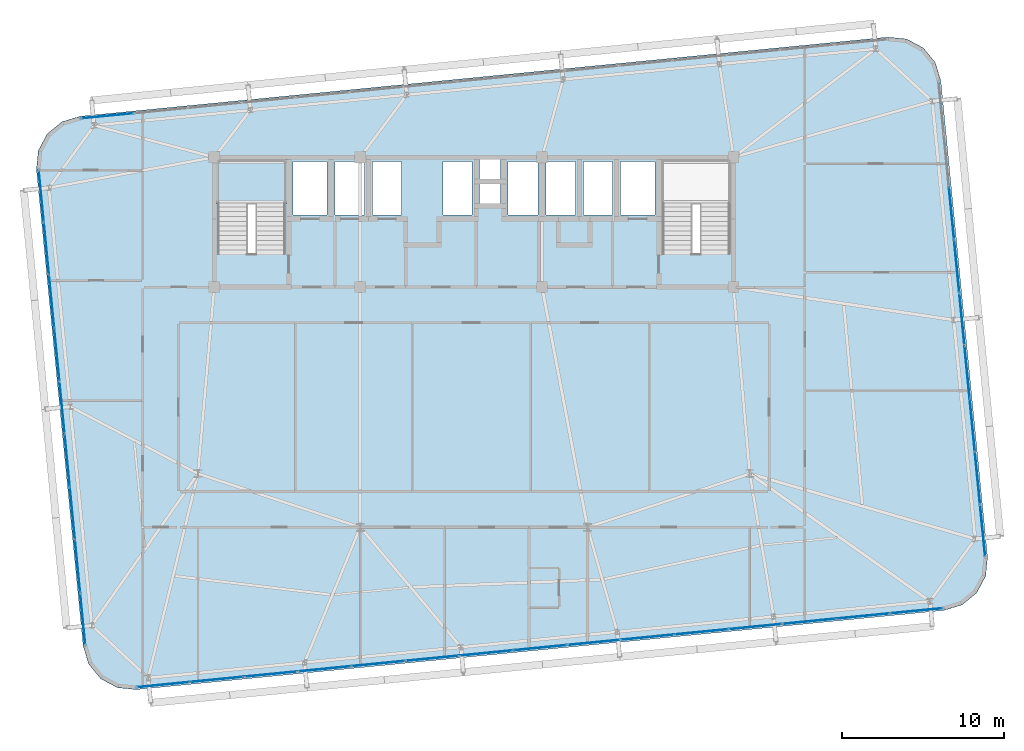
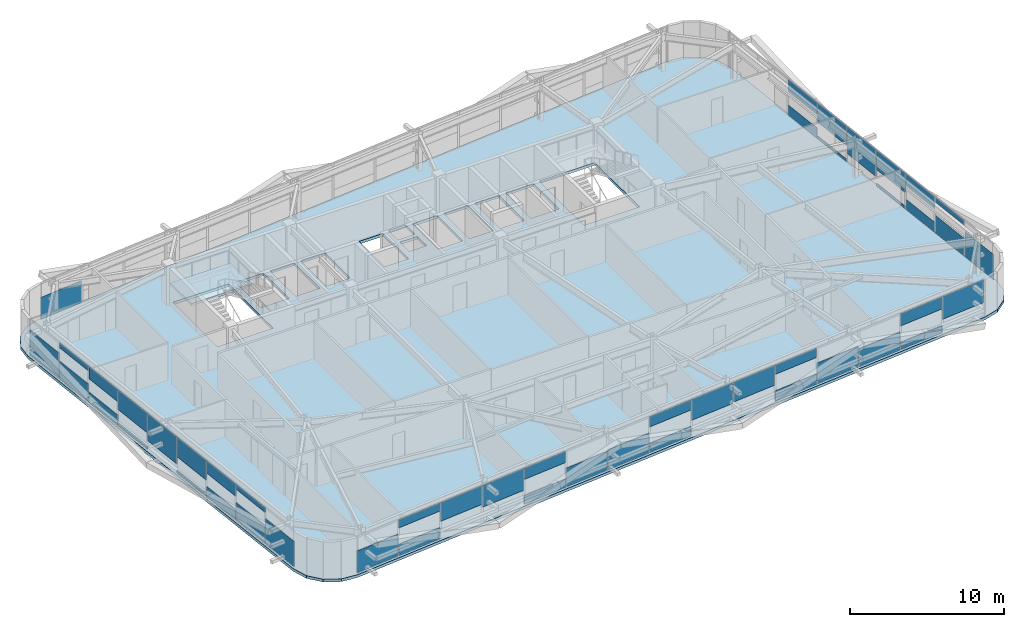
# One storey, part 36 of 52: 48 plates, 2 slabs, 5 elements without a shape of their own.
"""IFC4 building model written with IfcOpenShell, lengths in metres."""

from ifc_helpers import new_model, si_unit, direction, frame, origin, origin_2d, place, context, subcontext, project, spatial, polyline, rectangle, outline, extrude, source, transform, mapped, material, layer, layer_set, type_object, element, aggregate, save


model = new_model("IFC4")

# Units and contexts
model_context = context("Model", 3, precision=1e-05, world=origin(), true_north=direction((0.0, 1.0)))
body_context = subcontext(model_context, "Body", "Model", "MODEL_VIEW")
ifc_project = project(units=[si_unit("LENGTHUNIT", "METRE"), si_unit("AREAUNIT", "SQUARE_METRE"), si_unit("VOLUMEUNIT", "CUBIC_METRE"), si_unit("PLANEANGLEUNIT", "RADIAN"), si_unit("MASSUNIT", "GRAM", prefix="KILO")], contexts=[model_context])

# Site, building, storey
site_placement = place(None, origin())
site = spatial("IfcSite", under=ifc_project, at=site_placement, CompositionType="ELEMENT")
building_placement = place(site_placement, origin())
building = spatial("IfcBuilding", under=site, at=building_placement, Name="Taldren Reach Tower", CompositionType="ELEMENT")
storey_placement = place(building_placement, frame((0.0, 0.0, 96.60009765625)))
storey = spatial("IfcBuildingStorey", under=building, at=storey_placement, Name="L29", CompositionType="ELEMENT", Elevation=96.60009765625)

# Slab
ifc_material_1 = material(Name="Concrete N40 (40 MPa)", Category="concrete")
ifc_layer_1 = layer(ifc_material_1, 0.219970703125)
ifc_layer_set_1 = layer_set([ifc_layer_1], Name="Concrete N40 (40 MPa)")
slab_type_1 = type_object("IfcSlabType", Name="SL-FLR-220", PredefinedType="FLOOR", material=ifc_layer_set_1)
slab_1_placement = place(storey_placement, frame((0.0, 0.0, -0.22021484375)))
element("IfcSlab", 1, at=slab_1_placement, inside=storey, type_object=slab_type_1, Name="Suspended floor slab L29", PredefinedType="FLOOR", context=body_context, shape_type="SweptSolid", body=[
    extrude(outline(polyline([(63.962890625, 4.07421875), (65.0830078125, 4.41357421875), (65.98828125, 5.15576171875), (66.54052734375, 6.187744140625), (66.65576171875, 7.352783203125), (63.777099609375, 36.7119140625), (63.437744140625, 37.832275390625), (62.695556640625, 38.7373046875), (61.663330078125, 39.28955078125), (60.49853515625, 39.40478515625), (10.7373046875, 34.525634765625), (9.616943359375, 34.1865234375), (8.711669921875, 33.4443359375), (8.159423828125, 32.412109375), (8.044189453125, 31.247314453125), (10.923095703125, 1.88818359375), (11.26220703125, 0.767822265625), (12.00439453125, -0.137451171875), (13.03662109375, -0.689697265625), (14.201416015625, -0.804931640625), (63.962890625, 4.07421875)]), holes=[polyline([(19.219970703125, 26.050048828125), (23.3798828125, 26.050048828125), (23.3798828125, 31.820068359375), (19.219970703125, 31.820068359375), (19.219970703125, 26.050048828125)]), polyline([(46.6201171875, 26.050048828125), (50.780029296875, 26.050048828125), (50.780029296875, 31.820068359375), (46.6201171875, 31.820068359375), (46.6201171875, 26.050048828125)]), polyline([(23.85009765625, 28.449951171875), (25.949951171875, 28.449951171875), (25.949951171875, 31.75), (23.85009765625, 31.75), (23.85009765625, 28.449951171875)]), polyline([(44.050048828125, 28.449951171875), (46.14990234375, 28.449951171875), (46.14990234375, 31.75), (44.050048828125, 31.75), (44.050048828125, 28.449951171875)]), polyline([(26.449951171875, 28.449951171875), (28.25, 28.449951171875), (28.25, 31.75), (26.449951171875, 31.75), (26.449951171875, 28.449951171875)]), polyline([(28.75, 28.449951171875), (30.550048828125, 28.449951171875), (30.550048828125, 31.75), (28.75, 31.75), (28.75, 28.449951171875)]), polyline([(33.10009765625, 28.449951171875), (34.89990234375, 28.449951171875), (34.89990234375, 31.75), (33.10009765625, 31.75), (33.10009765625, 28.449951171875)]), polyline([(37.10009765625, 28.449951171875), (38.949951171875, 28.449951171875), (38.949951171875, 31.75), (37.10009765625, 31.75), (37.10009765625, 28.449951171875)]), polyline([(39.449951171875, 28.449951171875), (41.25, 28.449951171875), (41.25, 31.75), (39.449951171875, 31.75), (39.449951171875, 28.449951171875)]), polyline([(41.75, 28.449951171875), (43.550048828125, 28.449951171875), (43.550048828125, 31.75), (41.75, 31.75), (41.75, 28.449951171875)]), polyline([(35.35009765625, 30.64990234375), (36.64990234375, 30.64990234375), (36.64990234375, 31.85009765625), (35.35009765625, 31.85009765625), (35.35009765625, 30.64990234375)]), polyline([(35.35009765625, 29.14990234375), (36.64990234375, 29.14990234375), (36.64990234375, 30.35009765625), (35.35009765625, 30.35009765625), (35.35009765625, 29.14990234375)])]), origin(), (0.0, 0.0, 1.0), 0.22021484375),
])

# Stair, slab
ifc_material_2 = material(Name="Concrete S50 (50 MPa)", Category="concrete")
stair_type = type_object("IfcStairType", Name="ST-HT-315", PredefinedType="HALF_TURN_STAIR", material=ifc_material_2)
stair_placement = place(storey_placement, origin())
stair = element("IfcStair", 2, at=stair_placement, inside=storey, type_object=stair_type, Name="Fire-isolated exit stair ST1 L29", PredefinedType="HALF_TURN_STAIR")
ifc_layer_2 = layer(ifc_material_2, 0.179931640625)
ifc_layer_set_2 = layer_set([ifc_layer_2], Name="Concrete S50 (50 MPa)")
slab_type_2 = type_object("IfcSlabType", Name="SL-LAND-180", PredefinedType="LANDING", material=ifc_layer_set_2)
slab_2_placement = place(storey_placement, frame((0.0, 0.0, 1.39501953125)))
slab_2 = element("IfcSlab", 3, at=slab_2_placement, type_object=slab_type_2, Name="ST1 landing 1", PredefinedType="LANDING", context=body_context, shape_type="SweptSolid", body=[
    extrude(outline(polyline([(19.0400390625, 29.135009765625), (23.56005859375, 29.135009765625), (23.56005859375, 31.8701171875), (19.0400390625, 31.8701171875), (19.0400390625, 29.135009765625)])), origin(), (0.0, 0.0, 1.0), 0.179931640625),
])
aggregate(stair, [slab_2])

# Curtain wall, plate
ifc_material_3 = material(Name="Aluminium and Low-E Glass Unitised System", Category="aluminium")
ifc_layer_3 = layer(ifc_material_3, 0.159912109375)
ifc_layer_set_3 = layer_set([ifc_layer_3], Name="Aluminium and Low-E Glass Unitised System")
curtain_wall_type = type_object("IfcCurtainWallType", Name="CW-SYS-3", PredefinedType="NOTDEFINED", material=ifc_layer_set_3)
curtain_wall_1_placement = place(storey_placement, origin())
curtain_wall_1 = element("IfcCurtainWall", 4, at=curtain_wall_1_placement, inside=storey, type_object=curtain_wall_type, Name="Unitised curtain wall CW-L29-S", PredefinedType="NOTDEFINED")
ifc_material_4 = material(Name="Solar-Control Double Glazed IGU", Category="glass")
ifc_layer_4 = layer(ifc_material_4, 0.031982421875)
ifc_layer_set_4 = layer_set([ifc_layer_4], Name="Solar-Control Double Glazed IGU")
plate_type = type_object("IfcPlateType", Name="CW-PNL-IGU32", PredefinedType="CURTAIN_PANEL", material=ifc_layer_set_4)
shared_shape_1 = source(origin(), body_context, "Body", "SweptSolid", [
    extrude(rectangle(XDim=3.23583984375, YDim=0.031982421875, at=origin_2d()), origin(), (0.0, 0.0, 1.0), 1.72509765625),
])
plate_1_placement = place(storey_placement, frame((15.862548828125, -0.501220703125, 0.054931640625), z_axis=(0.0, 0.0, 1.0), x_axis=(0.995227390247, 0.097582999046, 0.0)))
plate_1 = element("IfcPlate", 5, at=plate_1_placement, type_object=plate_type, Name="CW-3 panel 1.1 part 1", PredefinedType="CURTAIN_PANEL", context=body_context, shape_type="MappedRepresentation", body=[
    mapped(shared_shape_1, transform((0.0, 0.0, 0.0), scale=1.0)),
])

curtain_wall_2_placement = place(storey_placement, origin())
curtain_wall_2 = element("IfcCurtainWall", 6, at=curtain_wall_2_placement, inside=storey, type_object=curtain_wall_type, Name="Unitised curtain wall CW-L29-N", PredefinedType="NOTDEFINED")
plate_2_placement = place(storey_placement, frame((12.42578125, 34.550537109375, 0.054931640625), z_axis=(0.0, 0.0, 1.0), x_axis=(-0.995227390247, -0.097582999046, 0.0)))
plate_2 = element("IfcPlate", 7, at=plate_2_placement, type_object=plate_type, Name="CW-3 panel 15.1 part 1", PredefinedType="CURTAIN_PANEL", context=body_context, shape_type="MappedRepresentation", body=[
    mapped(shared_shape_1, transform((0.0, 0.0, 0.0), scale=1.0)),
])
aggregate(curtain_wall_2, [plate_2])

# Plate
shared_shape_2 = source(origin(), body_context, "Body", "SweptSolid", [
    extrude(rectangle(XDim=3.268310546875, YDim=0.031982421875, at=origin_2d()), origin(), (0.0, 0.0, 1.0), 0.88818359375),
])
plate_3_placement = place(storey_placement, frame((19.163818359375, -0.177734375, 0.054931640625), z_axis=(0.0, 0.0, 1.0), x_axis=(0.995227390247, 0.097582999046, 0.0)))
plate_3 = element("IfcPlate", 8, at=plate_3_placement, type_object=plate_type, Name="CW-3 panel 2.1 part 1", PredefinedType="CURTAIN_PANEL", context=body_context, shape_type="MappedRepresentation", body=[
    mapped(shared_shape_2, transform((0.0, 0.0, 0.0), scale=1.0)),
])

shared_shape_3 = source(origin(), body_context, "Body", "SweptSolid", [
    extrude(rectangle(XDim=3.268310546875, YDim=0.031982421875, at=origin_2d()), origin(), (0.0, 0.0, 1.0), 0.626953125),
])
plate_4_placement = place(storey_placement, frame((19.163818359375, -0.177734375, 2.248046875), z_axis=(0.0, 0.0, 1.0), x_axis=(0.995227390247, 0.097582999046, 0.0)))
plate_4 = element("IfcPlate", 9, at=plate_4_placement, type_object=plate_type, Name="CW-3 panel 2.1 part 2", PredefinedType="CURTAIN_PANEL", context=body_context, shape_type="MappedRepresentation", body=[
    mapped(shared_shape_3, transform((0.0, 0.0, 0.0), scale=1.0)),
])

shared_shape_4 = source(origin(), body_context, "Body", "SweptSolid", [
    extrude(rectangle(XDim=3.268310546875, YDim=0.031982421875, at=origin_2d()), origin(), (0.0, 0.0, 1.0), 1.4638671875),
])
plate_5_placement = place(storey_placement, frame((22.481201171875, 0.147705078125, 1.4111328125), z_axis=(0.0, 0.0, 1.0), x_axis=(0.995227390247, 0.097582999046, 0.0)))
plate_5 = element("IfcPlate", 10, at=plate_5_placement, type_object=plate_type, Name="CW-3 panel 3.1 part 1", PredefinedType="CURTAIN_PANEL", context=body_context, shape_type="MappedRepresentation", body=[
    mapped(shared_shape_4, transform((0.0, 0.0, 0.0), scale=1.0)),
])

shared_shape_5 = source(origin(), body_context, "Body", "SweptSolid", [
    extrude(rectangle(XDim=3.268310546875, YDim=0.031982421875, at=origin_2d()), origin(), (0.0, 0.0, 1.0), 1.704833984375),
])
plate_6_placement = place(storey_placement, frame((25.798828125, 0.472900390625, 1.169921875), z_axis=(0.0, 0.0, 1.0), x_axis=(0.995227390247, 0.097582999046, 0.0)))
plate_6 = element("IfcPlate", 11, at=plate_6_placement, type_object=plate_type, Name="CW-3 panel 4.1 part 1", PredefinedType="CURTAIN_PANEL", context=body_context, shape_type="MappedRepresentation", body=[
    mapped(shared_shape_5, transform((0.0, 0.0, 0.0), scale=1.0)),
])

shared_shape_6 = source(origin(), body_context, "Body", "SweptSolid", [
    extrude(rectangle(XDim=3.268310546875, YDim=0.031982421875, at=origin_2d()), origin(), (0.0, 0.0, 1.0), 0.647216796875),
])
plate_7_placement = place(storey_placement, frame((29.1162109375, 0.798095703125, 0.05517578125), z_axis=(0.0, 0.0, 1.0), x_axis=(0.995227390247, 0.097582999046, 0.0)))
plate_7 = element("IfcPlate", 12, at=plate_7_placement, type_object=plate_type, Name="CW-3 panel 5.1 part 1", PredefinedType="CURTAIN_PANEL", context=body_context, shape_type="MappedRepresentation", body=[
    mapped(shared_shape_6, transform((0.0, 0.0, 0.0), scale=1.0)),
])

shared_shape_7 = source(origin(), body_context, "Body", "SweptSolid", [
    extrude(rectangle(XDim=3.268310546875, YDim=0.031982421875, at=origin_2d()), origin(), (0.0, 0.0, 1.0), 0.867919921875),
])
plate_8_placement = place(storey_placement, frame((29.1162109375, 0.798095703125, 2.0068359375), z_axis=(0.0, 0.0, 1.0), x_axis=(0.995227390247, 0.097582999046, 0.0)))
plate_8 = element("IfcPlate", 13, at=plate_8_placement, type_object=plate_type, Name="CW-3 panel 5.1 part 2", PredefinedType="CURTAIN_PANEL", context=body_context, shape_type="MappedRepresentation", body=[
    mapped(shared_shape_7, transform((0.0, 0.0, 0.0), scale=1.0)),
])

shared_shape_8 = source(origin(), body_context, "Body", "SweptSolid", [
    extrude(rectangle(XDim=3.268310546875, YDim=0.031982421875, at=origin_2d()), origin(), (0.0, 0.0, 1.0), 1.484130859375),
])
plate_9_placement = place(storey_placement, frame((32.43359375, 1.12353515625, 0.0546875), z_axis=(0.0, 0.0, 1.0), x_axis=(0.995227390247, 0.097582999046, 0.0)))
plate_9 = element("IfcPlate", 14, at=plate_9_placement, type_object=plate_type, Name="CW-3 panel 6.1 part 1", PredefinedType="CURTAIN_PANEL", context=body_context, shape_type="MappedRepresentation", body=[
    mapped(shared_shape_8, transform((0.0, 0.0, 0.0), scale=1.0)),
])

shared_shape_9 = source(origin(), body_context, "Body", "SweptSolid", [
    extrude(rectangle(XDim=3.268310546875, YDim=0.031982421875, at=origin_2d()), origin(), (0.0, 0.0, 1.0), 1.564453125),
])
plate_10_placement = place(storey_placement, frame((35.7509765625, 1.44873046875, 0.054931640625), z_axis=(0.0, 0.0, 1.0), x_axis=(0.995227390247, 0.097582999046, 0.0)))
plate_10 = element("IfcPlate", 15, at=plate_10_placement, type_object=plate_type, Name="CW-3 panel 7.1 part 1", PredefinedType="CURTAIN_PANEL", context=body_context, shape_type="MappedRepresentation", body=[
    mapped(shared_shape_9, transform((0.0, 0.0, 0.0), scale=1.0)),
])

shared_shape_10 = source(origin(), body_context, "Body", "SweptSolid", [
    extrude(rectangle(XDim=3.268310546875, YDim=0.031982421875, at=origin_2d()), origin(), (0.0, 0.0, 1.0), 0.7275390625),
])
plate_11_placement = place(storey_placement, frame((39.068359375, 1.77392578125, 0.054931640625), z_axis=(0.0, 0.0, 1.0), x_axis=(0.995227390247, 0.097582999046, 0.0)))
plate_11 = element("IfcPlate", 16, at=plate_11_placement, type_object=plate_type, Name="CW-3 panel 8.1 part 1", PredefinedType="CURTAIN_PANEL", context=body_context, shape_type="MappedRepresentation", body=[
    mapped(shared_shape_10, transform((0.0, 0.0, 0.0), scale=1.0)),
])

shared_shape_11 = source(origin(), body_context, "Body", "SweptSolid", [
    extrude(rectangle(XDim=3.268310546875, YDim=0.031982421875, at=origin_2d()), origin(), (0.0, 0.0, 1.0), 0.78759765625),
])
plate_12_placement = place(storey_placement, frame((39.068359375, 1.77392578125, 2.08740234375), z_axis=(0.0, 0.0, 1.0), x_axis=(0.995227390247, 0.097582999046, 0.0)))
plate_12 = element("IfcPlate", 17, at=plate_12_placement, type_object=plate_type, Name="CW-3 panel 8.1 part 2", PredefinedType="CURTAIN_PANEL", context=body_context, shape_type="MappedRepresentation", body=[
    mapped(shared_shape_11, transform((0.0, 0.0, 0.0), scale=1.0)),
])

shared_shape_12 = source(origin(), body_context, "Body", "SweptSolid", [
    extrude(rectangle(XDim=3.268310546875, YDim=0.031982421875, at=origin_2d()), origin(), (0.0, 0.0, 1.0), 1.62451171875),
])
plate_13_placement = place(storey_placement, frame((42.3857421875, 2.099365234375, 1.25048828125), z_axis=(0.0, 0.0, 1.0), x_axis=(0.995227390247, 0.097582999046, 0.0)))
plate_13 = element("IfcPlate", 18, at=plate_13_placement, type_object=plate_type, Name="CW-3 panel 9.1 part 1", PredefinedType="CURTAIN_PANEL", context=body_context, shape_type="MappedRepresentation", body=[
    mapped(shared_shape_12, transform((0.0, 0.0, 0.0), scale=1.0)),
])

shared_shape_13 = source(origin(), body_context, "Body", "SweptSolid", [
    extrude(rectangle(XDim=3.268310546875, YDim=0.031982421875, at=origin_2d()), origin(), (0.0, 0.0, 1.0), 1.544189453125),
])
plate_14_placement = place(storey_placement, frame((45.703369140625, 2.424560546875, 1.33056640625), z_axis=(0.0, 0.0, 1.0), x_axis=(0.995227390247, 0.097582999046, 0.0)))
plate_14 = element("IfcPlate", 19, at=plate_14_placement, type_object=plate_type, Name="CW-3 panel 10.1 part 1", PredefinedType="CURTAIN_PANEL", context=body_context, shape_type="MappedRepresentation", body=[
    mapped(shared_shape_13, transform((0.0, 0.0, 0.0), scale=1.0)),
])

shared_shape_14 = source(origin(), body_context, "Body", "SweptSolid", [
    extrude(rectangle(XDim=3.268310546875, YDim=0.031982421875, at=origin_2d()), origin(), (0.0, 0.0, 1.0), 0.807861328125),
])
plate_15_placement = place(storey_placement, frame((49.020751953125, 2.749755859375, 0.05517578125), z_axis=(0.0, 0.0, 1.0), x_axis=(0.995227390247, 0.097582999046, 0.0)))
plate_15 = element("IfcPlate", 20, at=plate_15_placement, type_object=plate_type, Name="CW-3 panel 11.1 part 1", PredefinedType="CURTAIN_PANEL", context=body_context, shape_type="MappedRepresentation", body=[
    mapped(shared_shape_14, transform((0.0, 0.0, 0.0), scale=1.0)),
])

shared_shape_15 = source(origin(), body_context, "Body", "SweptSolid", [
    extrude(rectangle(XDim=3.268310546875, YDim=0.031982421875, at=origin_2d()), origin(), (0.0, 0.0, 1.0), 0.707275390625),
])
plate_16_placement = place(storey_placement, frame((49.020751953125, 2.749755859375, 2.16748046875), z_axis=(0.0, 0.0, 1.0), x_axis=(0.995227390247, 0.097582999046, 0.0)))
plate_16 = element("IfcPlate", 21, at=plate_16_placement, type_object=plate_type, Name="CW-3 panel 11.1 part 2", PredefinedType="CURTAIN_PANEL", context=body_context, shape_type="MappedRepresentation", body=[
    mapped(shared_shape_15, transform((0.0, 0.0, 0.0), scale=1.0)),
])

shared_shape_16 = source(origin(), body_context, "Body", "SweptSolid", [
    extrude(rectangle(XDim=3.268310546875, YDim=0.031982421875, at=origin_2d()), origin(), (0.0, 0.0, 1.0), 1.644775390625),
])
plate_17_placement = place(storey_placement, frame((52.338134765625, 3.0751953125, 0.0546875), z_axis=(0.0, 0.0, 1.0), x_axis=(0.995227390247, 0.097582999046, 0.0)))
plate_17 = element("IfcPlate", 22, at=plate_17_placement, type_object=plate_type, Name="CW-3 panel 12.1 part 1", PredefinedType="CURTAIN_PANEL", context=body_context, shape_type="MappedRepresentation", body=[
    mapped(shared_shape_16, transform((0.0, 0.0, 0.0), scale=1.0)),
])

shared_shape_17 = source(origin(), body_context, "Body", "SweptSolid", [
    extrude(rectangle(XDim=3.268310546875, YDim=0.031982421875, at=origin_2d()), origin(), (0.0, 0.0, 1.0), 1.40380859375),
])
plate_18_placement = place(storey_placement, frame((55.655517578125, 3.400390625, 0.054931640625), z_axis=(0.0, 0.0, 1.0), x_axis=(0.995227390247, 0.097582999046, 0.0)))
plate_18 = element("IfcPlate", 23, at=plate_18_placement, type_object=plate_type, Name="CW-3 panel 13.1 part 1", PredefinedType="CURTAIN_PANEL", context=body_context, shape_type="MappedRepresentation", body=[
    mapped(shared_shape_17, transform((0.0, 0.0, 0.0), scale=1.0)),
])

shared_shape_18 = source(origin(), body_context, "Body", "SweptSolid", [
    extrude(rectangle(XDim=3.268310546875, YDim=0.031982421875, at=origin_2d()), origin(), (0.0, 0.0, 1.0), 0.56689453125),
])
plate_19_placement = place(storey_placement, frame((58.972900390625, 3.7255859375, 0.054931640625), z_axis=(0.0, 0.0, 1.0), x_axis=(0.995227390247, 0.097582999046, 0.0)))
plate_19 = element("IfcPlate", 24, at=plate_19_placement, type_object=plate_type, Name="CW-3 panel 14.1 part 1", PredefinedType="CURTAIN_PANEL", context=body_context, shape_type="MappedRepresentation", body=[
    mapped(shared_shape_18, transform((0.0, 0.0, 0.0), scale=1.0)),
])

shared_shape_19 = source(origin(), body_context, "Body", "SweptSolid", [
    extrude(rectangle(XDim=3.268310546875, YDim=0.031982421875, at=origin_2d()), origin(), (0.0, 0.0, 1.0), 0.9482421875),
])
plate_20_placement = place(storey_placement, frame((58.972900390625, 3.7255859375, 1.926513671875), z_axis=(0.0, 0.0, 1.0), x_axis=(0.995227390247, 0.097582999046, 0.0)))
plate_20 = element("IfcPlate", 25, at=plate_20_placement, type_object=plate_type, Name="CW-3 panel 14.1 part 2", PredefinedType="CURTAIN_PANEL", context=body_context, shape_type="MappedRepresentation", body=[
    mapped(shared_shape_19, transform((0.0, 0.0, 0.0), scale=1.0)),
])

shared_shape_20 = source(origin(), body_context, "Body", "SweptSolid", [
    extrude(rectangle(XDim=3.23583984375, YDim=0.031982421875, at=origin_2d()), origin(), (0.0, 0.0, 1.0), 1.78515625),
])
plate_21_placement = place(storey_placement, frame((62.274169921875, 4.04931640625, 1.08984375), z_axis=(0.0, 0.0, 1.0), x_axis=(0.995227390247, 0.097582999046, 0.0)))
plate_21 = element("IfcPlate", 26, at=plate_21_placement, type_object=plate_type, Name="CW-3 panel 15.1 part 1", PredefinedType="CURTAIN_PANEL", context=body_context, shape_type="MappedRepresentation", body=[
    mapped(shared_shape_20, transform((0.0, 0.0, 0.0), scale=1.0)),
])

aggregate(curtain_wall_1, [plate_1, plate_3, plate_4, plate_5, plate_6, plate_7, plate_8, plate_9, plate_10, plate_11, plate_12, plate_13, plate_14, plate_15, plate_16, plate_17, plate_18, plate_19, plate_20, plate_21])

# Curtain wall, plates
curtain_wall_3_placement = place(storey_placement, origin())
curtain_wall_3 = element("IfcCurtainWall", 27, at=curtain_wall_3_placement, inside=storey, type_object=curtain_wall_type, Name="Unitised curtain wall CW-L29-W", PredefinedType="NOTDEFINED")
shared_shape_21 = source(origin(), body_context, "Body", "SweptSolid", [
    extrude(rectangle(XDim=3.18017578125, YDim=0.031982421875, at=origin_2d()), origin(), (0.0, 0.0, 1.0), 1.989501953125),
])
plate_22_placement = place(storey_placement, frame((8.34521484375, 29.61376953125, 0.0546875), z_axis=(0.0, 0.0, 1.0), x_axis=(0.09758274098, -0.99522741555, 0.0)))
plate_22 = element("IfcPlate", 28, at=plate_22_placement, type_object=plate_type, Name="CW-3 panel 1.1 part 1", PredefinedType="CURTAIN_PANEL", context=body_context, shape_type="MappedRepresentation", body=[
    mapped(shared_shape_21, transform((0.0, 0.0, 0.0), scale=1.0)),
])
plate_23_placement = place(storey_placement, frame((10.90087890625, 3.549072265625, 0.0546875), z_axis=(0.0, 0.0, 1.0), x_axis=(0.09758274098, -0.99522741555, 0.0)))
plate_23 = element("IfcPlate", 29, at=plate_23_placement, type_object=plate_type, Name="CW-3 panel 9.1 part 1", PredefinedType="CURTAIN_PANEL", context=body_context, shape_type="MappedRepresentation", body=[
    mapped(shared_shape_21, transform((0.0, 0.0, 0.0), scale=1.0)),
])

# Curtain wall, plate
curtain_wall_4_placement = place(storey_placement, origin())
curtain_wall_4 = element("IfcCurtainWall", 30, at=curtain_wall_4_placement, inside=storey, type_object=curtain_wall_type, Name="Unitised curtain wall CW-L29-E", PredefinedType="NOTDEFINED")
plate_24_placement = place(storey_placement, frame((66.35498046875, 8.986328125, 0.0546875), z_axis=(0.0, 0.0, 1.0), x_axis=(-0.09758274098, 0.99522741555, 0.0)))
plate_24 = element("IfcPlate", 31, at=plate_24_placement, type_object=plate_type, Name="CW-3 panel 1.1 part 1", PredefinedType="CURTAIN_PANEL", context=body_context, shape_type="MappedRepresentation", body=[
    mapped(shared_shape_21, transform((0.0, 0.0, 0.0), scale=1.0)),
])

# Plate
shared_shape_22 = source(origin(), body_context, "Body", "SweptSolid", [
    extrude(rectangle(XDim=3.212890625, YDim=0.031982421875, at=origin_2d()), origin(), (0.0, 0.0, 1.0), 1.401611328125),
])
plate_25_placement = place(storey_placement, frame((8.663330078125, 26.36767578125, 0.05517578125), z_axis=(0.0, 0.0, 1.0), x_axis=(0.09758274098, -0.99522741555, 0.0)))
plate_25 = element("IfcPlate", 32, at=plate_25_placement, type_object=plate_type, Name="CW-3 panel 2.1 part 1", PredefinedType="CURTAIN_PANEL", context=body_context, shape_type="MappedRepresentation", body=[
    mapped(shared_shape_22, transform((0.0, 0.0, 0.0), scale=1.0)),
])

plate_26_placement = place(storey_placement, frame((10.58251953125, 6.794921875, 0.05517578125), z_axis=(0.0, 0.0, 1.0), x_axis=(0.09758274098, -0.99522741555, 0.0)))
plate_26 = element("IfcPlate", 33, at=plate_26_placement, type_object=plate_type, Name="CW-3 panel 8.1 part 1", PredefinedType="CURTAIN_PANEL", context=body_context, shape_type="MappedRepresentation", body=[
    mapped(shared_shape_22, transform((0.0, 0.0, 0.0), scale=1.0)),
])

plate_27_placement = place(storey_placement, frame((66.03662109375, 12.232177734375, 0.05517578125), z_axis=(0.0, 0.0, 1.0), x_axis=(-0.09758274098, 0.99522741555, 0.0)))
plate_27 = element("IfcPlate", 34, at=plate_27_placement, type_object=plate_type, Name="CW-3 panel 2.1 part 1", PredefinedType="CURTAIN_PANEL", context=body_context, shape_type="MappedRepresentation", body=[
    mapped(shared_shape_22, transform((0.0, 0.0, 0.0), scale=1.0)),
])

shared_shape_23 = source(origin(), body_context, "Body", "SweptSolid", [
    extrude(rectangle(XDim=3.212890625, YDim=0.031982421875, at=origin_2d()), origin(), (0.0, 0.0, 1.0), 0.36474609375),
])
plate_28_placement = place(storey_placement, frame((8.663330078125, 26.36767578125, 2.51025390625), z_axis=(0.0, 0.0, 1.0), x_axis=(0.09758274098, -0.99522741555, 0.0)))
plate_28 = element("IfcPlate", 35, at=plate_28_placement, type_object=plate_type, Name="CW-3 panel 2.1 part 2", PredefinedType="CURTAIN_PANEL", context=body_context, shape_type="MappedRepresentation", body=[
    mapped(shared_shape_23, transform((0.0, 0.0, 0.0), scale=1.0)),
])

plate_29_placement = place(storey_placement, frame((10.58251953125, 6.794921875, 2.51025390625), z_axis=(0.0, 0.0, 1.0), x_axis=(0.09758274098, -0.99522741555, 0.0)))
plate_29 = element("IfcPlate", 36, at=plate_29_placement, type_object=plate_type, Name="CW-3 panel 8.1 part 2", PredefinedType="CURTAIN_PANEL", context=body_context, shape_type="MappedRepresentation", body=[
    mapped(shared_shape_23, transform((0.0, 0.0, 0.0), scale=1.0)),
])

plate_30_placement = place(storey_placement, frame((66.03662109375, 12.232177734375, 2.51025390625), z_axis=(0.0, 0.0, 1.0), x_axis=(-0.09758274098, 0.99522741555, 0.0)))
plate_30 = element("IfcPlate", 37, at=plate_30_placement, type_object=plate_type, Name="CW-3 panel 2.1 part 2", PredefinedType="CURTAIN_PANEL", context=body_context, shape_type="MappedRepresentation", body=[
    mapped(shared_shape_23, transform((0.0, 0.0, 0.0), scale=1.0)),
])

shared_shape_24 = source(origin(), body_context, "Body", "SweptSolid", [
    extrude(rectangle(XDim=3.212890625, YDim=0.031982421875, at=origin_2d()), origin(), (0.0, 0.0, 1.0), 0.81396484375),
])
plate_31_placement = place(storey_placement, frame((8.983154296875, 23.105712890625, 0.054931640625), z_axis=(0.0, 0.0, 1.0), x_axis=(0.09758274098, -0.99522741555, 0.0)))
plate_31 = element("IfcPlate", 38, at=plate_31_placement, type_object=plate_type, Name="CW-3 panel 3.1 part 1", PredefinedType="CURTAIN_PANEL", context=body_context, shape_type="MappedRepresentation", body=[
    mapped(shared_shape_24, transform((0.0, 0.0, 0.0), scale=1.0)),
])

plate_32_placement = place(storey_placement, frame((10.2626953125, 10.05712890625, 0.054931640625), z_axis=(0.0, 0.0, 1.0), x_axis=(0.09758274098, -0.99522741555, 0.0)))
plate_32 = element("IfcPlate", 39, at=plate_32_placement, type_object=plate_type, Name="CW-3 panel 7.1 part 1", PredefinedType="CURTAIN_PANEL", context=body_context, shape_type="MappedRepresentation", body=[
    mapped(shared_shape_24, transform((0.0, 0.0, 0.0), scale=1.0)),
])

plate_33_placement = place(storey_placement, frame((65.716796875, 15.494384765625, 0.054931640625), z_axis=(0.0, 0.0, 1.0), x_axis=(-0.09758274098, 0.99522741555, 0.0)))
plate_33 = element("IfcPlate", 40, at=plate_33_placement, type_object=plate_type, Name="CW-3 panel 3.1 part 1", PredefinedType="CURTAIN_PANEL", context=body_context, shape_type="MappedRepresentation", body=[
    mapped(shared_shape_24, transform((0.0, 0.0, 0.0), scale=1.0)),
])

plate_34_placement = place(storey_placement, frame((64.437255859375, 28.54296875, 0.054931640625), z_axis=(0.0, 0.0, 1.0), x_axis=(-0.09758274098, 0.99522741555, 0.0)))
plate_34 = element("IfcPlate", 41, at=plate_34_placement, type_object=plate_type, Name="CW-3 panel 7.1 part 1", PredefinedType="CURTAIN_PANEL", context=body_context, shape_type="MappedRepresentation", body=[
    mapped(shared_shape_24, transform((0.0, 0.0, 0.0), scale=1.0)),
])

shared_shape_25 = source(origin(), body_context, "Body", "SweptSolid", [
    extrude(rectangle(XDim=3.212890625, YDim=0.031982421875, at=origin_2d()), origin(), (0.0, 0.0, 1.0), 0.95263671875),
])
plate_35_placement = place(storey_placement, frame((8.983154296875, 23.105712890625, 1.92236328125), z_axis=(0.0, 0.0, 1.0), x_axis=(0.09758274098, -0.99522741555, 0.0)))
plate_35 = element("IfcPlate", 42, at=plate_35_placement, type_object=plate_type, Name="CW-3 panel 3.1 part 2", PredefinedType="CURTAIN_PANEL", context=body_context, shape_type="MappedRepresentation", body=[
    mapped(shared_shape_25, transform((0.0, 0.0, 0.0), scale=1.0)),
])

plate_36_placement = place(storey_placement, frame((10.2626953125, 10.05712890625, 1.92236328125), z_axis=(0.0, 0.0, 1.0), x_axis=(0.09758274098, -0.99522741555, 0.0)))
plate_36 = element("IfcPlate", 43, at=plate_36_placement, type_object=plate_type, Name="CW-3 panel 7.1 part 2", PredefinedType="CURTAIN_PANEL", context=body_context, shape_type="MappedRepresentation", body=[
    mapped(shared_shape_25, transform((0.0, 0.0, 0.0), scale=1.0)),
])

plate_37_placement = place(storey_placement, frame((65.716796875, 15.494384765625, 1.92236328125), z_axis=(0.0, 0.0, 1.0), x_axis=(-0.09758274098, 0.99522741555, 0.0)))
plate_37 = element("IfcPlate", 44, at=plate_37_placement, type_object=plate_type, Name="CW-3 panel 3.1 part 2", PredefinedType="CURTAIN_PANEL", context=body_context, shape_type="MappedRepresentation", body=[
    mapped(shared_shape_25, transform((0.0, 0.0, 0.0), scale=1.0)),
])

plate_38_placement = place(storey_placement, frame((64.437255859375, 28.54296875, 1.92236328125), z_axis=(0.0, 0.0, 1.0), x_axis=(-0.09758274098, 0.99522741555, 0.0)))
plate_38 = element("IfcPlate", 45, at=plate_38_placement, type_object=plate_type, Name="CW-3 panel 7.1 part 2", PredefinedType="CURTAIN_PANEL", context=body_context, shape_type="MappedRepresentation", body=[
    mapped(shared_shape_25, transform((0.0, 0.0, 0.0), scale=1.0)),
])

shared_shape_26 = source(origin(), body_context, "Body", "SweptSolid", [
    extrude(rectangle(XDim=3.212890625, YDim=0.031982421875, at=origin_2d()), origin(), (0.0, 0.0, 1.0), 0.22607421875),
])
plate_39_placement = place(storey_placement, frame((9.30322265625, 19.843505859375, 0.054931640625), z_axis=(0.0, 0.0, 1.0), x_axis=(0.09758274098, -0.99522741555, 0.0)))
plate_39 = element("IfcPlate", 46, at=plate_39_placement, type_object=plate_type, Name="CW-3 panel 4.1 part 1", PredefinedType="CURTAIN_PANEL", context=body_context, shape_type="MappedRepresentation", body=[
    mapped(shared_shape_26, transform((0.0, 0.0, 0.0), scale=1.0)),
])

plate_40_placement = place(storey_placement, frame((9.94287109375, 13.319091796875, 0.054931640625), z_axis=(0.0, 0.0, 1.0), x_axis=(0.09758274098, -0.99522741555, 0.0)))
plate_40 = element("IfcPlate", 47, at=plate_40_placement, type_object=plate_type, Name="CW-3 panel 6.1 part 1", PredefinedType="CURTAIN_PANEL", context=body_context, shape_type="MappedRepresentation", body=[
    mapped(shared_shape_26, transform((0.0, 0.0, 0.0), scale=1.0)),
])

plate_41_placement = place(storey_placement, frame((65.39697265625, 18.756591796875, 0.054931640625), z_axis=(0.0, 0.0, 1.0), x_axis=(-0.09758274098, 0.99522741555, 0.0)))
plate_41 = element("IfcPlate", 48, at=plate_41_placement, type_object=plate_type, Name="CW-3 panel 4.1 part 1", PredefinedType="CURTAIN_PANEL", context=body_context, shape_type="MappedRepresentation", body=[
    mapped(shared_shape_26, transform((0.0, 0.0, 0.0), scale=1.0)),
])

plate_42_placement = place(storey_placement, frame((64.757080078125, 25.28076171875, 0.054931640625), z_axis=(0.0, 0.0, 1.0), x_axis=(-0.09758274098, 0.99522741555, 0.0)))
plate_42 = element("IfcPlate", 49, at=plate_42_placement, type_object=plate_type, Name="CW-3 panel 6.1 part 1", PredefinedType="CURTAIN_PANEL", context=body_context, shape_type="MappedRepresentation", body=[
    mapped(shared_shape_26, transform((0.0, 0.0, 0.0), scale=1.0)),
])

shared_shape_27 = source(origin(), body_context, "Body", "SweptSolid", [
    extrude(rectangle(XDim=3.212890625, YDim=0.031982421875, at=origin_2d()), origin(), (0.0, 0.0, 1.0), 1.54052734375),
])
plate_43_placement = place(storey_placement, frame((9.30322265625, 19.843505859375, 1.33447265625), z_axis=(0.0, 0.0, 1.0), x_axis=(0.09758274098, -0.99522741555, 0.0)))
plate_43 = element("IfcPlate", 50, at=plate_43_placement, type_object=plate_type, Name="CW-3 panel 4.1 part 2", PredefinedType="CURTAIN_PANEL", context=body_context, shape_type="MappedRepresentation", body=[
    mapped(shared_shape_27, transform((0.0, 0.0, 0.0), scale=1.0)),
])

plate_44_placement = place(storey_placement, frame((9.94287109375, 13.319091796875, 1.33447265625), z_axis=(0.0, 0.0, 1.0), x_axis=(0.09758274098, -0.99522741555, 0.0)))
plate_44 = element("IfcPlate", 51, at=plate_44_placement, type_object=plate_type, Name="CW-3 panel 6.1 part 2", PredefinedType="CURTAIN_PANEL", context=body_context, shape_type="MappedRepresentation", body=[
    mapped(shared_shape_27, transform((0.0, 0.0, 0.0), scale=1.0)),
])

plate_45_placement = place(storey_placement, frame((65.39697265625, 18.756591796875, 1.33447265625), z_axis=(0.0, 0.0, 1.0), x_axis=(-0.09758274098, 0.99522741555, 0.0)))
plate_45 = element("IfcPlate", 52, at=plate_45_placement, type_object=plate_type, Name="CW-3 panel 4.1 part 2", PredefinedType="CURTAIN_PANEL", context=body_context, shape_type="MappedRepresentation", body=[
    mapped(shared_shape_27, transform((0.0, 0.0, 0.0), scale=1.0)),
])

plate_46_placement = place(storey_placement, frame((64.757080078125, 25.28076171875, 1.33447265625), z_axis=(0.0, 0.0, 1.0), x_axis=(-0.09758274098, 0.99522741555, 0.0)))
plate_46 = element("IfcPlate", 53, at=plate_46_placement, type_object=plate_type, Name="CW-3 panel 6.1 part 2", PredefinedType="CURTAIN_PANEL", context=body_context, shape_type="MappedRepresentation", body=[
    mapped(shared_shape_27, transform((0.0, 0.0, 0.0), scale=1.0)),
])

shared_shape_28 = source(origin(), body_context, "Body", "SweptSolid", [
    extrude(rectangle(XDim=3.212890625, YDim=0.031982421875, at=origin_2d()), origin(), (0.0, 0.0, 1.0), 2.128173828125),
])
plate_47_placement = place(storey_placement, frame((9.623046875, 16.581298828125, 0.74658203125), z_axis=(0.0, 0.0, 1.0), x_axis=(0.09758274098, -0.99522741555, 0.0)))
plate_47 = element("IfcPlate", 54, at=plate_47_placement, type_object=plate_type, Name="CW-3 panel 5.1 part 1", PredefinedType="CURTAIN_PANEL", context=body_context, shape_type="MappedRepresentation", body=[
    mapped(shared_shape_28, transform((0.0, 0.0, 0.0), scale=1.0)),
])

aggregate(curtain_wall_3, [plate_22, plate_25, plate_28, plate_31, plate_35, plate_39, plate_43, plate_47, plate_40, plate_44, plate_32, plate_36, plate_26, plate_29, plate_23])

plate_48_placement = place(storey_placement, frame((65.0771484375, 22.0185546875, 0.74658203125), z_axis=(0.0, 0.0, 1.0), x_axis=(-0.09758274098, 0.99522741555, 0.0)))
plate_48 = element("IfcPlate", 55, at=plate_48_placement, type_object=plate_type, Name="CW-3 panel 5.1 part 1", PredefinedType="CURTAIN_PANEL", context=body_context, shape_type="MappedRepresentation", body=[
    mapped(shared_shape_28, transform((0.0, 0.0, 0.0), scale=1.0)),
])

aggregate(curtain_wall_4, [plate_24, plate_27, plate_30, plate_33, plate_37, plate_41, plate_45, plate_48, plate_42, plate_46, plate_34, plate_38])

save(model, "model.ifc")
